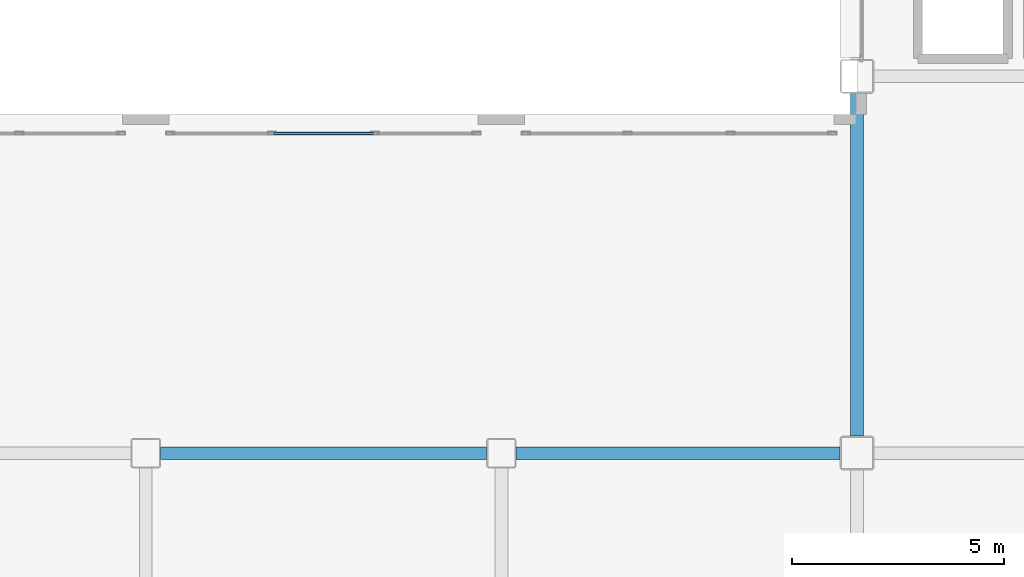
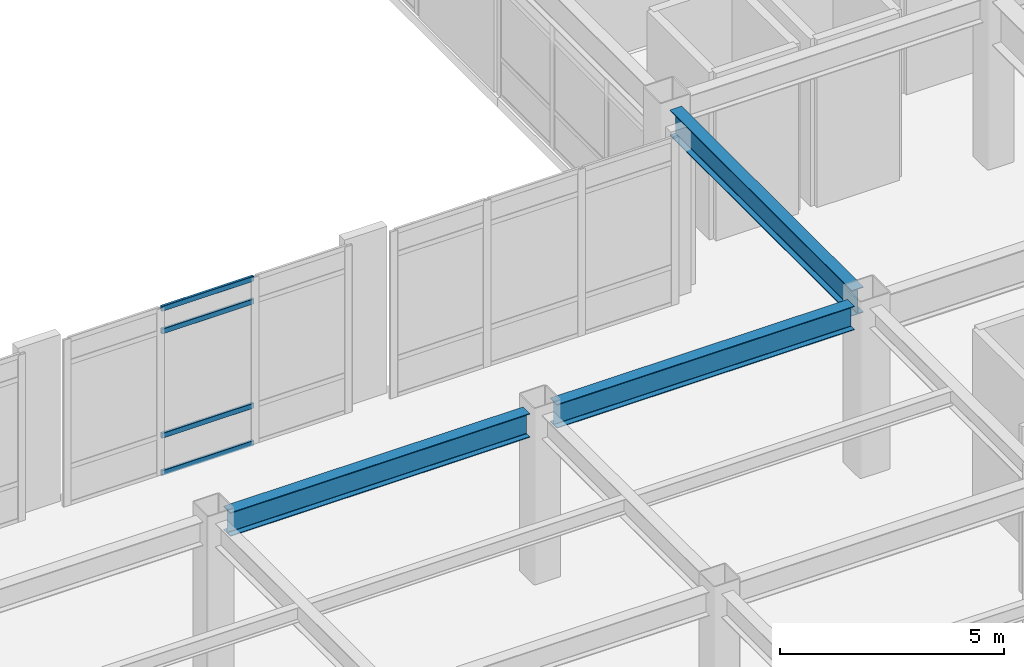
# One storey, part 101 of 172: 4 members, 3 beams, 1 element without a shape of its own.
"""IFC4 building model written with IfcOpenShell, lengths in metres."""

from ifc_helpers import new_model, si_unit, direction, frame, origin, origin_2d, place, context, subcontext, project, spatial, hollow_rectangle, i_section, extrude, material, layer, layer_set, material_profile, profile_set, type_object, element, aggregate, save


model = new_model("IFC4")

# Units and contexts
model_context = context("Model", 3, precision=1e-05, world=origin(), true_north=direction((0.0, 1.0)))
body_context = subcontext(model_context, "Body", "Model", "MODEL_VIEW")
ifc_project = project(units=[si_unit("LENGTHUNIT", "METRE"), si_unit("AREAUNIT", "SQUARE_METRE"), si_unit("VOLUMEUNIT", "CUBIC_METRE"), si_unit("PLANEANGLEUNIT", "RADIAN"), si_unit("MASSUNIT", "GRAM", prefix="KILO")], contexts=[model_context])

# Site, building, storey
site_placement = place(None, origin())
site = spatial("IfcSite", under=ifc_project, at=site_placement, CompositionType="ELEMENT")
building_placement = place(site_placement, origin())
building = spatial("IfcBuilding", under=site, at=building_placement, Name="Kazehara Bluff Congress Hotel", CompositionType="ELEMENT")
storey_placement = place(building_placement, frame((0.0, 0.0, 5.39990234375)))
storey = spatial("IfcBuildingStorey", under=building, at=storey_placement, Name="L01", CompositionType="ELEMENT", Elevation=5.39990234375)

# Curtain wall, members
ifc_material_1 = material(Name="Anodised aluminium", Category="aluminium")
ifc_layer = layer(ifc_material_1, 0.159912109375)
ifc_layer_set = layer_set([ifc_layer], Name="Anodised aluminium")
curtain_wall_type = type_object("IfcCurtainWallType", Name="TP-CW-48", PredefinedType="NOTDEFINED", material=ifc_layer_set)
curtain_wall_placement = place(storey_placement, origin())
curtain_wall = element("IfcCurtainWall", 1, at=curtain_wall_placement, inside=storey, type_object=curtain_wall_type, Name="L01 curtain wall CW-48 CW-V5-L01-Y3955-12745", PredefinedType="NOTDEFINED")
ifc_material_2 = material(Name="Anodised aluminium", Category="aluminium")
ifc_material_profile_1 = material_profile(ifc_material_2, hollow_rectangle(XDim=0.06494140625, YDim=0.139892578125, WallThickness=0.00390625, InnerFilletRadius=0.00390625, OuterFilletRadius=0.008056640625, at=origin_2d()))
ifc_profile_set_1 = profile_set([ifc_material_profile_1], Name="Anodised aluminium")
member_type = type_object("IfcMemberType", Name="TP-CWT-02", PredefinedType="USERDEFINED", material=ifc_profile_set_1)
member_1_placement = place(storey_placement, frame((129.918212890625, 39.550048828125, 0.03271484375), z_axis=(1.0, 0.0, 0.0), x_axis=(0.0, 1.0, 0.0)))
member_1 = element("IfcMember", 2, at=member_1_placement, type_object=member_type, Name="CW-48 transom 2.1", ObjectType="TRANSOM", PredefinedType="USERDEFINED", context=body_context, shape_type="SweptSolid", body=[
    extrude(hollow_rectangle(XDim=0.06494140625, YDim=0.139892578125, WallThickness=0.00390625, InnerFilletRadius=0.00390625, OuterFilletRadius=0.008056640625, at=origin_2d()), origin(), (0.0, 0.0, 1.0), 2.363525390625),
])
member_2_placement = place(storey_placement, frame((129.918212890625, 39.550048828125, 1.050048828125), z_axis=(1.0, 0.0, 0.0), x_axis=(0.0, 1.0, 0.0)))
member_2 = element("IfcMember", 3, at=member_2_placement, type_object=member_type, Name="CW-48 transom 2.2", ObjectType="TRANSOM", PredefinedType="USERDEFINED", context=body_context, shape_type="SweptSolid", body=[
    extrude(hollow_rectangle(XDim=0.06494140625, YDim=0.139892578125, WallThickness=0.00390625, InnerFilletRadius=0.00390625, OuterFilletRadius=0.008056640625, at=origin_2d()), origin(), (0.0, 0.0, 1.0), 2.363525390625),
])
member_3_placement = place(storey_placement, frame((129.918212890625, 39.550048828125, 3.885009765625), z_axis=(1.0, 0.0, 0.0), x_axis=(0.0, 1.0, 0.0)))
member_3 = element("IfcMember", 4, at=member_3_placement, type_object=member_type, Name="CW-48 transom 2.3", ObjectType="TRANSOM", PredefinedType="USERDEFINED", context=body_context, shape_type="SweptSolid", body=[
    extrude(hollow_rectangle(XDim=0.06494140625, YDim=0.139892578125, WallThickness=0.00390625, InnerFilletRadius=0.00390625, OuterFilletRadius=0.008056640625, at=origin_2d()), origin(), (0.0, 0.0, 1.0), 2.363525390625),
])
member_4_placement = place(storey_placement, frame((129.918212890625, 39.550048828125, 4.502685546875), z_axis=(1.0, 0.0, 0.0), x_axis=(0.0, 1.0, 0.0)))
member_4 = element("IfcMember", 5, at=member_4_placement, type_object=member_type, Name="CW-48 transom 2.4", ObjectType="TRANSOM", PredefinedType="USERDEFINED", context=body_context, shape_type="SweptSolid", body=[
    extrude(hollow_rectangle(XDim=0.06494140625, YDim=0.139892578125, WallThickness=0.00390625, InnerFilletRadius=0.00390625, OuterFilletRadius=0.008056640625, at=origin_2d()), origin(), (0.0, 0.0, 1.0), 2.363525390625),
])
aggregate(curtain_wall, [member_1, member_2, member_3, member_4])

# Beams
ifc_material_3 = material(Name="Steel SN490B", Category="steel")
ifc_material_profile_2 = material_profile(ifc_material_3, i_section(OverallWidth=0.300048828125, OverallDepth=0.64990234375, WebThickness=0.011962890625, FlangeThickness=0.02001953125, FilletRadius=0.012939453125, at=origin_2d()))
ifc_profile_set_2 = profile_set([ifc_material_profile_2], Name="Steel SN490B")
beam_type_1 = type_object("IfcBeamType", Name="TP-G-03", PredefinedType="BEAM", material=ifc_profile_set_2)
beam_1_placement = place(storey_placement, frame((127.25, 32.0, 4.22509765625), z_axis=(1.0, 0.0, 0.0), x_axis=(0.0, 1.0, 0.0)))
element("IfcBeam", 6, at=beam_1_placement, inside=storey, type_object=beam_type_1, Name="L01 girder G-03 292", PredefinedType="BEAM", context=body_context, shape_type="SweptSolid", body=[
    extrude(i_section(OverallWidth=0.300048828125, OverallDepth=0.64990234375, WebThickness=0.011962890625, FlangeThickness=0.02001953125, FilletRadius=0.012939453125, at=origin_2d()), origin(), (0.0, 0.0, 1.0), 7.699951171875),
])
beam_2_placement = place(storey_placement, frame((135.64990234375, 32.0, 4.22509765625), z_axis=(1.0, 0.0, 0.0), x_axis=(0.0, 1.0, 0.0)))
element("IfcBeam", 7, at=beam_2_placement, inside=storey, type_object=beam_type_1, Name="L01 girder G-03 293", PredefinedType="BEAM", context=body_context, shape_type="SweptSolid", body=[
    extrude(i_section(OverallWidth=0.300048828125, OverallDepth=0.64990234375, WebThickness=0.011962890625, FlangeThickness=0.02001953125, FilletRadius=0.012939453125, at=origin_2d()), origin(), (0.0, 0.0, 1.0), 7.650146484375),
])
ifc_material_4 = material(Name="Steel SN490B", Category="steel")
ifc_material_profile_3 = material_profile(ifc_material_4, i_section(OverallWidth=0.300048828125, OverallDepth=0.699951171875, WebThickness=0.012939453125, FlangeThickness=0.02392578125, FilletRadius=0.01806640625, at=origin_2d()))
ifc_profile_set_3 = profile_set([ifc_material_profile_3], Name="Steel SN490B")
beam_type_2 = type_object("IfcBeamType", Name="TP-SP-03", PredefinedType="SPANDREL", material=ifc_profile_set_3)
beam_3_placement = place(storey_placement, frame((143.699951171875, 32.39990234375, 4.2001953125), z_axis=(0.0, 1.0, 0.0), x_axis=(-1.0, 0.0, 0.0)))
element("IfcBeam", 8, at=beam_3_placement, inside=storey, type_object=beam_type_2, Name="L01 girder SP-03 233", PredefinedType="SPANDREL", context=body_context, shape_type="SweptSolid", body=[
    extrude(i_section(OverallWidth=0.300048828125, OverallDepth=0.699951171875, WebThickness=0.012939453125, FlangeThickness=0.02392578125, FilletRadius=0.01806640625, at=origin_2d()), origin(), (0.0, 0.0, 1.0), 8.10009765625),
])

save(model, "model.ifc")
